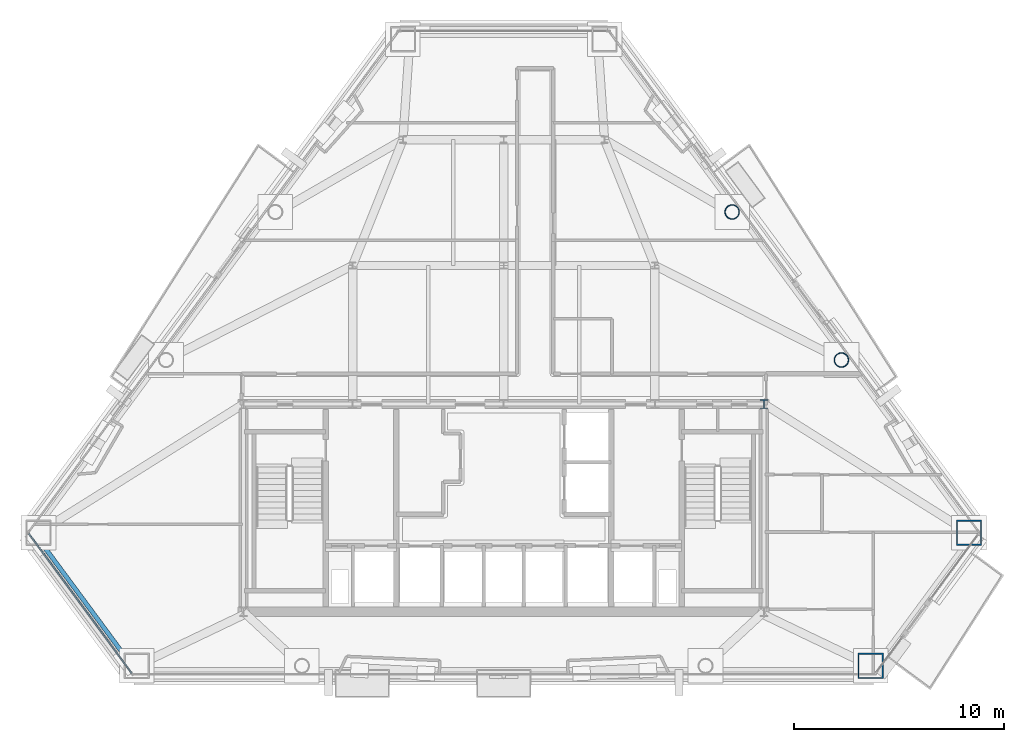
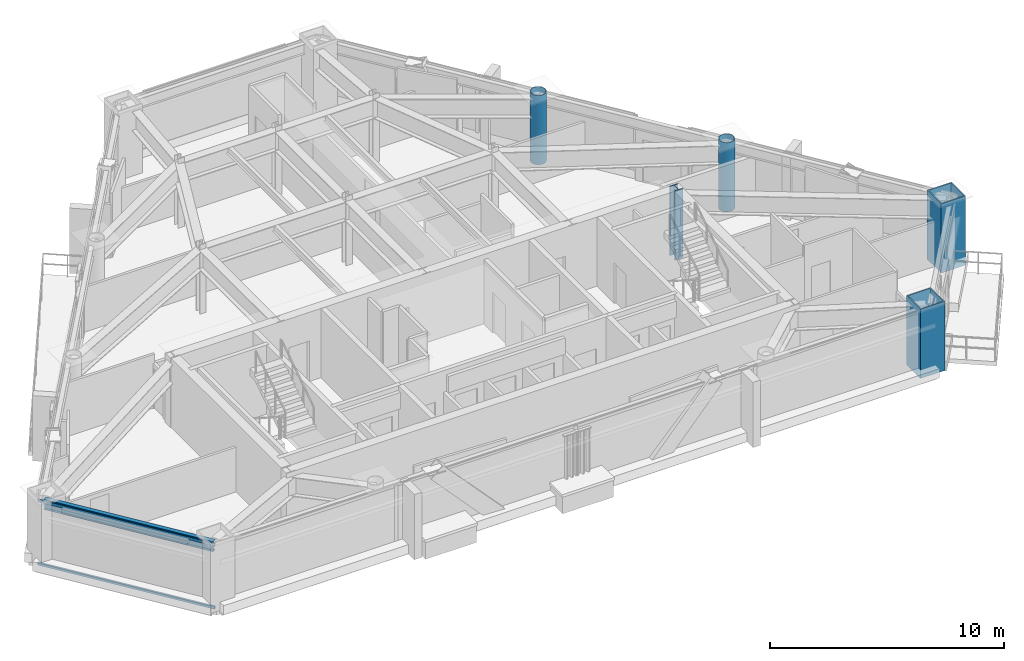
# One storey, part 2 of 11: 5 columns, 2 members, 1 beam, 1 element without a shape of its own.
"""IFC4 building model written with IfcOpenShell, lengths in metres."""

from ifc_helpers import new_model, si_unit, direction, frame, origin, origin_2d, place, context, subcontext, project, spatial, rectangle, hollow_rectangle, hollow_circle, i_section, extrude, material, layer, layer_set, material_profile, profile_set, type_object, element, aggregate, save


model = new_model("IFC4")

# Units and contexts
model_context = context("Model", 3, precision=1e-05, world=origin(), true_north=direction((0.0, 1.0)))
body_context = subcontext(model_context, "Body", "Model", "MODEL_VIEW")
ifc_project = project(units=[si_unit("LENGTHUNIT", "METRE"), si_unit("AREAUNIT", "SQUARE_METRE"), si_unit("VOLUMEUNIT", "CUBIC_METRE"), si_unit("PLANEANGLEUNIT", "RADIAN"), si_unit("MASSUNIT", "GRAM", prefix="KILO")], contexts=[model_context])

# Site, building, storey
site_placement = place(None, origin())
site = spatial("IfcSite", under=ifc_project, at=site_placement, CompositionType="ELEMENT")
building_placement = place(site_placement, origin())
building = spatial("IfcBuilding", under=site, at=building_placement, Name="Talgorran Terracotta Tower", CompositionType="ELEMENT")
storey_placement = place(building_placement, frame((0.0, 0.0, 154.5)))
storey = spatial("IfcBuildingStorey", under=building, at=storey_placement, Name="L40", CompositionType="ELEMENT", Elevation=154.5)

# Columns
ifc_material_1 = material(Name="Steel S355 (300PLUS)", Category="steel")
ifc_material_profile_1 = material_profile(ifc_material_1, i_section(OverallWidth=0.39990234375, OverallDepth=0.43994140625, WebThickness=0.028076171875, FlangeThickness=0.0400390625, at=origin_2d()), Name="400WC328")
ifc_profile_set_1 = profile_set([ifc_material_profile_1], Name="Steel S355 (300PLUS)")
column_type_1 = type_object("IfcColumnType", Name="COL_400WC328", PredefinedType="COLUMN", material=ifc_profile_set_1)
column_placement = place(storey_placement, frame((12.39990234375, -4.199951171875, 0.0), z_axis=(0.0, 0.0, 1.0), x_axis=(1.0, 0.0, 0.0)))
element("IfcColumn", 1, at=column_placement, inside=storey, type_object=column_type_1, Name="L40 Core Boundary Column CC3", PredefinedType="COLUMN", context=body_context, shape_type="SweptSolid", body=[
    extrude(i_section(OverallWidth=0.39990234375, OverallDepth=0.43994140625, WebThickness=0.028076171875, FlangeThickness=0.0400390625, at=origin_2d()), origin(), (0.0, 0.0, 1.0), 3.60009765625),
])
ifc_material_2 = material(Name="Steel Grade 350 (350L0)", Category="steel")
ifc_material_profile_2 = material_profile(ifc_material_2, hollow_rectangle(XDim=1.199951171875, YDim=1.199951171875, WallThickness=0.054931640625, at=origin_2d()), Name="CFT1200X1200X55")
ifc_profile_set_2 = profile_set([ifc_material_profile_2], Name="Steel Grade 350 (350L0)")
column_type_2 = type_object("IfcColumnType", Name="COL_CFT_1200", PredefinedType="COLUMN", material=ifc_profile_set_2)
for number, where, z_axis, x_axis, name in (
    (2, (17.483642578125, -16.67431640625, 0.0), (0.0, 0.0, 1.0), (1.0, 0.0, 0.0), "L40 Corner CFT Mega-Column MC3"),
    (3, (22.168212890625, -10.331298828125, 0.0), (0.0, 0.0, 1.0), (1.0, 0.0, 0.0), "L40 Corner CFT Mega-Column MC4"),
):
    element("IfcColumn", number, at=place(storey_placement, frame(where, z_axis=z_axis, x_axis=x_axis)), inside=storey, type_object=column_type_2, Name=name, PredefinedType="COLUMN", context=body_context, shape_type="SweptSolid", body=[
        extrude(hollow_rectangle(XDim=1.199951171875, YDim=1.199951171875, WallThickness=0.054931640625, at=origin_2d()), origin(), (0.0, 0.0, 1.0), 3.60009765625),
    ])
ifc_material_profile_3 = material_profile(ifc_material_2, hollow_circle(Radius=0.35009765625, WallThickness=0.030029296875, at=origin_2d()), Name="CHS700X30")
ifc_profile_set_3 = profile_set([ifc_material_profile_3], Name="Steel Grade 350 (350L0)")
column_type_3 = type_object("IfcColumnType", Name="COL_CHS_700", PredefinedType="COLUMN", material=ifc_profile_set_3)
for number, where, z_axis, x_axis, name in (
    (4, (16.091552734375, -2.10302734375, 0.0), (0.0, 0.0, 1.0), (1.0, 0.0, 0.0), "L40 Facet Perimeter Column FC3"),
    (5, (10.8828125, 4.94970703125, 0.0), (0.0, 0.0, 1.0), (1.0, 0.0, 0.0), "L40 Facet Perimeter Column FC4"),
):
    element("IfcColumn", number, at=place(storey_placement, frame(where, z_axis=z_axis, x_axis=x_axis)), inside=storey, type_object=column_type_3, Name=name, PredefinedType="COLUMN", context=body_context, shape_type="SweptSolid", body=[
        extrude(hollow_circle(Radius=0.35009765625, WallThickness=0.030029296875, at=origin_2d()), origin(), (0.0, 0.0, 1.0), 3.60009765625),
    ])

# Beam
ifc_material_profile_4 = material_profile(ifc_material_1, i_section(OverallWidth=0.209228515625, OverallDepth=0.532958984375, WebThickness=0.01025390625, FlangeThickness=0.015625, at=origin_2d()), Name="530UB92.4")
ifc_profile_set_4 = profile_set([ifc_material_profile_4], Name="Steel S355 (300PLUS)")
beam_type = type_object("IfcBeamType", Name="BM_SP_530UB92", PredefinedType="SPANDREL", material=ifc_profile_set_4)
beam_placement = place(storey_placement, frame((-22.31298828125, -10.43798828125, 3.08349609375), z_axis=(0.594068918856, -0.804414146848, 0.0), x_axis=(0.804414146848, 0.594068918856, 0.0)))
element("IfcBeam", 6, at=beam_placement, inside=storey, type_object=beam_type, Name="L40 Perimeter Spandrel Beam MC1-MC2", PredefinedType="SPANDREL", context=body_context, shape_type="SweptSolid", body=[
    extrude(i_section(OverallWidth=0.209228515625, OverallDepth=0.532958984375, WebThickness=0.01025390625, FlangeThickness=0.015625, at=origin_2d()), origin(), (0.0, 0.0, 1.0), 7.885498046875),
])

# Curtain wall, members
ifc_material_3 = material(Name="Unitised Low-E Double Glazing", Category="glass")
ifc_layer = layer(ifc_material_3, 0.199951171875, Name="CW_SYS2_RES_LOW")
ifc_layer_set = layer_set([ifc_layer], Name="Unitised Low-E Double Glazing")
curtain_wall_type = type_object("IfcCurtainWallType", Name="CW_SYS2_RES_LOW", PredefinedType="NOTDEFINED", material=ifc_layer_set)
curtain_wall_placement = place(storey_placement, origin())
curtain_wall = element("IfcCurtainWall", 7, at=curtain_wall_placement, inside=storey, type_object=curtain_wall_type, Name="CW-L40-F0", PredefinedType="NOTDEFINED")
ifc_material_4 = material(Name="Architectural Aluminium 6063-T6", Category="aluminium")
ifc_material_profile_5 = material_profile(ifc_material_4, rectangle(XDim=0.06494140625, YDim=0.14990234375, at=origin_2d()), Name="CWT65X150")
ifc_profile_set_5 = profile_set([ifc_material_profile_5], Name="Architectural Aluminium 6063-T6")
member_type = type_object("IfcMemberType", Name="TRN_65X150", PredefinedType="USERDEFINED", material=ifc_profile_set_5)
member_1_placement = place(storey_placement, frame((-22.626953125, -10.383544921875, 0.032470703125), z_axis=(0.594076601696, -0.804408472927, 0.0), x_axis=(0.804408472927, 0.594076601696, 0.0)))
member_1 = element("IfcMember", 8, at=member_1_placement, type_object=member_type, Name="CW-L40-0 transom 1.1", ObjectType="TRANSOM", PredefinedType="USERDEFINED", context=body_context, shape_type="SweptSolid", body=[
    extrude(rectangle(XDim=0.06494140625, YDim=0.14990234375, at=origin_2d()), origin(), (0.0, 0.0, 1.0), 8.2529296875),
])
member_2_placement = place(storey_placement, frame((-22.626953125, -10.383544921875, 3.3173828125), z_axis=(0.594076601696, -0.804408472927, 0.0), x_axis=(0.804408472927, 0.594076601696, 0.0)))
member_2 = element("IfcMember", 9, at=member_2_placement, type_object=member_type, Name="CW-L40-0 transom 1.2", ObjectType="TRANSOM", PredefinedType="USERDEFINED", context=body_context, shape_type="SweptSolid", body=[
    extrude(rectangle(XDim=0.06494140625, YDim=0.14990234375, at=origin_2d()), origin(), (0.0, 0.0, 1.0), 8.2529296875),
])
aggregate(curtain_wall, [member_1, member_2])

save(model, "model.ifc")
